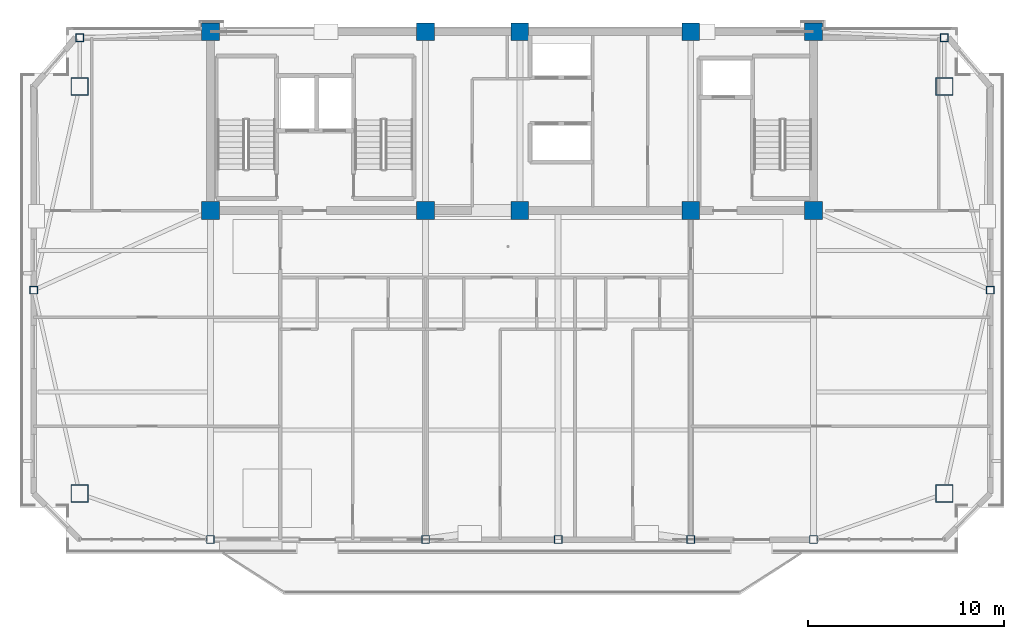
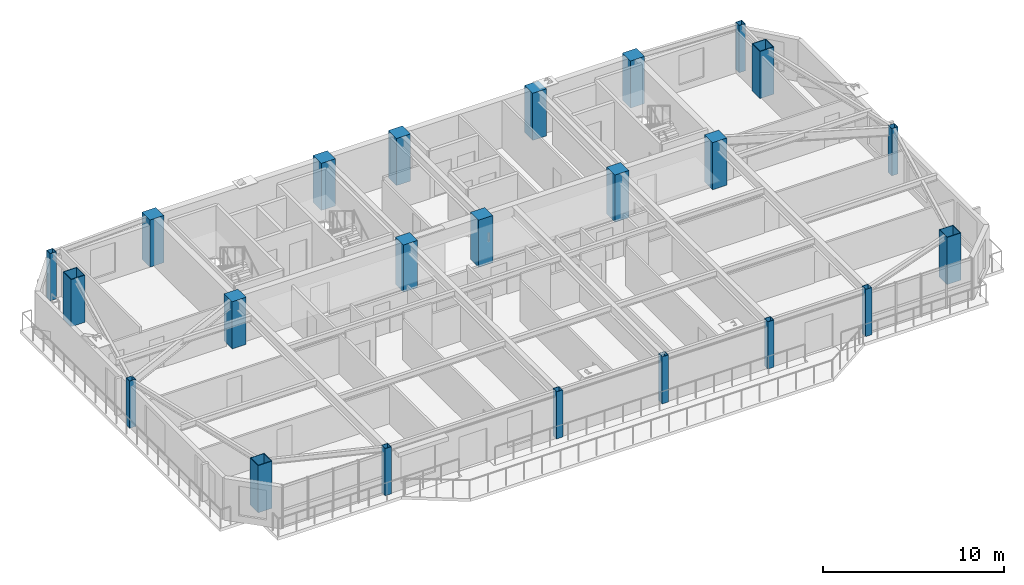
# One storey, part 1 of 14: 23 columns.
"""IFC4 building model written with IfcOpenShell, lengths in metres."""

import ifcopenshell
import ifcopenshell.guid

model = None  # the IFC model being written
_history = None  # IfcOwnerHistory: only IFC2X3 demands one
_inside = {}  # id of a spatial element -> (the spatial element, [elements in it])
_under = {}  # id of a project, library or spatial element -> (it, [spatial elements below it])
_declared = {}  # id of a project -> (the project, [libraries it declares])
_typed = {}  # id of a type object -> (the type object, [elements of that type])
_made_of = {}  # id of a material, layer set ... -> (it, [elements and type objects made of it])


def new_model(schema):
    """Start an empty IFC model of exactly this schema.

    Asked for "IFC4X3", IfcOpenShell would pick the latest addendum, in which some entities
    have other attributes; the version numbers below select the first issue.
    IFC2X3 requires an IfcOwnerHistory on every rooted entity: one is made here for all.
    """
    global model, _history
    if schema == "IFC4X3":
        model = ifcopenshell.file(schema_version=(4, 3, 0, 0))
    else:
        model = ifcopenshell.file(schema=schema)
    _inside.clear()
    _under.clear()
    _declared.clear()
    _typed.clear()
    _made_of.clear()
    _history = None
    if model.schema == "IFC2X3":
        org = make("IfcOrganization", Name="unknown")
        user = make(
            "IfcPersonAndOrganization",
            ThePerson=make("IfcPerson", FamilyName="unknown"),
            TheOrganization=org,
        )
        app = make(
            "IfcApplication",
            ApplicationDeveloper=org,
            Version="unknown",
            ApplicationFullName="unknown",
            ApplicationIdentifier="unknown",
        )
        _history = make(
            "IfcOwnerHistory",
            OwningUser=user,
            OwningApplication=app,
            ChangeAction="ADDED",
            CreationDate=0,
        )
    return model


def make(cls, **values):
    """One entity of the class cls with the attributes given. An attribute that is None is left unset."""
    return model.create_entity(
        cls, **{name: value for name, value in values.items() if value is not None}
    )


def rooted(cls, **values):
    """An entity with a GlobalId (a new one), such as an element, a storey or a relation."""
    return make(cls, GlobalId=ifcopenshell.guid.new(), OwnerHistory=_history, **values)


def si_unit(unit_type, name, prefix=None):
    """IfcSIUnit, for example si_unit("LENGTHUNIT", "METRE", prefix="MILLI")."""
    return make("IfcSIUnit", UnitType=unit_type, Prefix=prefix, Name=name)


def assignment(units):
    """IfcUnitAssignment: the units of a project."""
    return None if units is None else make("IfcUnitAssignment", Units=units)


def point(xyz):
    """IfcCartesianPoint."""
    return None if xyz is None else make("IfcCartesianPoint", Coordinates=xyz)


def direction(xyz):
    """IfcDirection."""
    return None if xyz is None else make("IfcDirection", DirectionRatios=xyz)


def frame(location, z_axis=None, x_axis=None):
    """IfcAxis2Placement3D, a coordinate frame: its origin and axes. An axis left out is left unset."""
    return make(
        "IfcAxis2Placement3D",
        Location=point(location),
        Axis=direction(z_axis),
        RefDirection=direction(x_axis),
    )


def frame_2d(location, x_axis=None):
    """IfcAxis2Placement2D, a coordinate frame in the plane: its origin and x axis."""
    return make(
        "IfcAxis2Placement2D", Location=point(location), RefDirection=direction(x_axis)
    )


def origin():
    """The frame at (0, 0, 0) with its axes left unset."""
    return frame((0.0, 0.0, 0.0))


def origin_2d():
    """The frame at (0, 0) in the plane with its x axis left unset."""
    return frame_2d((0.0, 0.0))


def place(relative_to, where):
    """IfcLocalPlacement: puts the frame where relative to a parent placement (None: the world)."""
    return make(
        "IfcLocalPlacement", PlacementRelTo=relative_to, RelativePlacement=where
    )


def context(
    kind, dimensions, precision=None, world=None, true_north=None, identifier=None
):
    """IfcGeometricRepresentationContext, for example the 3D "Model" context."""
    return make(
        "IfcGeometricRepresentationContext",
        ContextIdentifier=identifier,
        ContextType=kind,
        CoordinateSpaceDimension=dimensions,
        Precision=precision,
        WorldCoordinateSystem=world,
        TrueNorth=true_north,
    )


def subcontext(parent, identifier, kind, view, scale=None):
    """IfcGeometricRepresentationSubContext, for example "Body" below "Model"."""
    return make(
        "IfcGeometricRepresentationSubContext",
        ContextIdentifier=identifier,
        ContextType=kind,
        ParentContext=parent,
        TargetScale=scale,
        TargetView=view,
    )


def project(units=None, contexts=None):
    """IfcProject with its units and contexts."""
    return rooted(
        "IfcProject",
        Name="project",
        RepresentationContexts=contexts,
        UnitsInContext=assignment(units),
    )


def spatial(cls, under=None, at=None, **own):
    """A site, building, storey or space (cls), placed at a placement, below another one or the project."""
    s = rooted(cls, ObjectPlacement=at, **own)
    if under is not None:
        _under.setdefault(under.id(), (under, []))[1].append(s)
    return s


def profile(cls, at=None, kind="AREA", **sizes):
    """A parametric profile (cls). Its sizes go by their IFC names, for example OverallWidth=200.0."""
    return make(cls, ProfileType=kind, Position=at, **sizes)


def rectangle(**sizes):
    """IfcRectangleProfileDef."""
    return profile("IfcRectangleProfileDef", **sizes)


def hollow_rectangle(**sizes):
    """IfcRectangleHollowProfileDef."""
    return profile("IfcRectangleHollowProfileDef", **sizes)


def extrude(swept, where, along, depth):
    """IfcExtrudedAreaSolid: the profile swept, set in the frame where, extruded along a direction by depth."""
    return make(
        "IfcExtrudedAreaSolid",
        SweptArea=swept,
        Position=where,
        ExtrudedDirection=direction(along),
        Depth=depth,
    )


def shape(context_of_items, identifier, shape_type, items):
    """IfcShapeRepresentation: the items that make up one representation, for example the "Body"."""
    return make(
        "IfcShapeRepresentation",
        ContextOfItems=context_of_items,
        RepresentationIdentifier=identifier,
        RepresentationType=shape_type,
        Items=items,
    )


def source(mapping_origin, context_of_items, identifier, shape_type, items):
    """IfcRepresentationMap: a shape defined once, which mapped items show again and again."""
    return make(
        "IfcRepresentationMap",
        MappingOrigin=mapping_origin,
        MappedRepresentation=shape(context_of_items, identifier, shape_type, items),
    )


def transform(
    local_origin,
    x_axis=None,
    y_axis=None,
    z_axis=None,
    scale=None,
    scale2=None,
    scale3=None,
    uniform=True,
):
    """IfcCartesianTransformationOperator3D, or its non-uniform kind. x_axis, y_axis, z_axis: its Axis1, 2, 3."""
    if uniform:
        return make(
            "IfcCartesianTransformationOperator3D",
            Axis1=direction(x_axis),
            Axis2=direction(y_axis),
            LocalOrigin=point(local_origin),
            Scale=scale,
            Axis3=direction(z_axis),
        )
    return make(
        "IfcCartesianTransformationOperator3DnonUniform",
        Axis1=direction(x_axis),
        Axis2=direction(y_axis),
        LocalOrigin=point(local_origin),
        Scale=scale,
        Axis3=direction(z_axis),
        Scale2=scale2,
        Scale3=scale3,
    )


def mapped(mapping_source, mapping_target):
    """IfcMappedItem: shows the shape of a source again, moved by a transform."""
    return make(
        "IfcMappedItem", MappingSource=mapping_source, MappingTarget=mapping_target
    )


def material(Name=None, Category=None):
    """IfcMaterial."""
    return make("IfcMaterial", Name=Name, Category=Category)


def material_profile(
    of_material, cross_section, Name=None, Category=None, Priority=None
):
    """IfcMaterialProfile: a cross section and its material."""
    return make(
        "IfcMaterialProfile",
        Name=Name,
        Material=of_material,
        Profile=cross_section,
        Priority=Priority,
        Category=Category,
    )


def profile_set(profiles, Name=None, composite=None):
    """IfcMaterialProfileSet."""
    return make(
        "IfcMaterialProfileSet",
        Name=Name,
        MaterialProfiles=profiles,
        CompositeProfile=composite,
    )


def made_of(thing, what):
    """Note that an element or type object is made of a material, layer set ...; save() writes the relation."""
    if what is not None:
        _made_of.setdefault(what.id(), (what, []))[1].append(thing)
    return thing


def type_object(cls, material=None, **own):
    """A type object (cls), such as IfcWallType, which elements share."""
    return made_of(rooted(cls, **own), material)


def element(
    cls,
    number,
    at=None,
    inside=None,
    cuts=None,
    type_object=None,
    material=None,
    context=None,
    identifier="Body",
    shape_type=None,
    held_by="IfcProductDefinitionShape",
    body=None,
    shapes=None,
    **own,
):
    """One element of the class cls, such as IfcWall. Its Tag is "e" and its number.

    at: its placement. inside: the storey or other place that contains it. cuts: it is an
    opening in that element (IfcRelVoidsElement). A single representation is given by context,
    identifier, shape_type and body (its items); several are given by shapes. held_by: the class
    of the entity that holds the representations. save() writes the other relations.
    """
    e = rooted(cls, Tag="e%d" % number, ObjectPlacement=at, **own)
    if body is not None:
        shapes = [shape(context, identifier, shape_type, body)]
    if shapes is not None:
        e.Representation = make(held_by, Representations=shapes)
    if inside is not None:
        _inside.setdefault(inside.id(), (inside, []))[1].append(e)
    if cuts is not None:
        rooted(
            "IfcRelVoidsElement", RelatingBuildingElement=cuts, RelatedOpeningElement=e
        )
    if type_object is not None:
        _typed.setdefault(type_object.id(), (type_object, []))[1].append(e)
    return made_of(e, material)


def aggregate(whole, parts):
    """IfcRelAggregates: a whole, such as a stair, and the parts it consists of."""
    return rooted("IfcRelAggregates", RelatingObject=whole, RelatedObjects=parts)


def save(model, path):
    """Write the relations noted so far, then the file.

    IfcRelAggregates (storeys below a building ...), IfcRelContainedInSpatialStructure (elements
    in a storey), IfcRelDefinesByType, IfcRelAssociatesMaterial and IfcRelDeclares: one each for
    every whole, place, type object, material and project.
    """
    for whole, parts in _under.values():
        aggregate(whole, parts)
    for where, things in _inside.values():
        rooted(
            "IfcRelContainedInSpatialStructure",
            RelatedElements=things,
            RelatingStructure=where,
        )
    for kind, things in _typed.values():
        rooted("IfcRelDefinesByType", RelatedObjects=things, RelatingType=kind)
    for what, things in _made_of.values():
        rooted("IfcRelAssociatesMaterial", RelatedObjects=things, RelatingMaterial=what)
    for by, libraries in _declared.values():
        rooted("IfcRelDeclares", RelatingContext=by, RelatedDefinitions=libraries)
    model.write(path)


model = new_model("IFC4")

# Units and contexts
model_context = context("Model", 3, precision=1e-05, world=origin(), true_north=direction((0.0, 1.0)))
body_context = subcontext(model_context, "Body", "Model", "MODEL_VIEW")
ifc_project = project(units=[si_unit("LENGTHUNIT", "METRE"), si_unit("AREAUNIT", "SQUARE_METRE"), si_unit("VOLUMEUNIT", "CUBIC_METRE"), si_unit("PLANEANGLEUNIT", "RADIAN"), si_unit("MASSUNIT", "GRAM", prefix="KILO")], contexts=[model_context])

# Site, building, storey
site_placement = place(None, origin())
site = spatial("IfcSite", under=ifc_project, at=site_placement, CompositionType="ELEMENT")
building_placement = place(site_placement, origin())
building = spatial("IfcBuilding", under=site, at=building_placement, Name="Giltprow Tower", CompositionType="ELEMENT")
storey_placement = place(building_placement, frame((0.0, 0.0, 314.199951171875)))
storey = spatial("IfcBuildingStorey", under=building, at=storey_placement, Name="L81", CompositionType="ELEMENT", Elevation=314.199951171875)

# Columns
ifc_material_1 = material(Name="Concrete C45", Category="concrete")
ifc_material_profile_1 = material_profile(ifc_material_1, rectangle(XDim=0.89990234375, YDim=0.89990234375, at=origin_2d()), Name="RC 900x900")
ifc_profile_set_1 = profile_set([ifc_material_profile_1], Name="Concrete C45")
column_type_1 = type_object("IfcColumnType", Name="PIL-RC-900-C45", PredefinedType="PILASTER", material=ifc_profile_set_1)
shared_shape_1 = source(origin(), body_context, "Body", "SweptSolid", [
    extrude(rectangle(XDim=0.89990234375, YDim=0.89990234375, at=origin_2d()), origin(), (0.0, 0.0, 1.0), 3.18505859375),
])
for number, where, z_axis, x_axis, name in (
    (1, (19.85009765625, 37.449951171875, 0.0), (0.0, 0.0, 1.0), (1.0, 0.0, 0.0), "L81 Core Boundary Pilaster 1-1"),
    (2, (19.85009765625, 46.550048828125, 0.0), (0.0, 0.0, 1.0), (1.0, 0.0, 0.0), "L81 Core Boundary Pilaster 1-2"),
    (3, (30.800048828125, 37.449951171875, 0.0), (0.0, 0.0, 1.0), (1.0, 0.0, 0.0), "L81 Core Boundary Pilaster 2-1"),
    (4, (30.800048828125, 46.550048828125, 0.0), (0.0, 0.0, 1.0), (1.0, 0.0, 0.0), "L81 Core Boundary Pilaster 2-2"),
    (5, (35.60009765625, 37.449951171875, 0.0), (0.0, 0.0, 1.0), (1.0, 0.0, 0.0), "L81 Core Boundary Pilaster 3-1"),
    (6, (35.60009765625, 46.550048828125, 0.0), (0.0, 0.0, 1.0), (1.0, 0.0, 0.0), "L81 Core Boundary Pilaster 3-2"),
    (7, (44.300048828125, 37.449951171875, 0.0), (0.0, 0.0, 1.0), (1.0, 0.0, 0.0), "L81 Core Boundary Pilaster 4-1"),
    (8, (44.300048828125, 46.550048828125, 0.0), (0.0, 0.0, 1.0), (1.0, 0.0, 0.0), "L81 Core Boundary Pilaster 4-2"),
    (9, (50.550048828125, 37.449951171875, 0.0), (0.0, 0.0, 1.0), (1.0, 0.0, 0.0), "L81 Core Boundary Pilaster 5-1"),
    (10, (50.550048828125, 46.550048828125, 0.0), (0.0, 0.0, 1.0), (1.0, 0.0, 0.0), "L81 Core Boundary Pilaster 5-2"),
):
    element("IfcColumn", number, at=place(storey_placement, frame(where, z_axis=z_axis, x_axis=x_axis)), inside=storey, type_object=column_type_1, Name=name, PredefinedType="PILASTER", context=body_context, shape_type="MappedRepresentation", body=[
        mapped(shared_shape_1, transform((0.0, 0.0, 0.0), x_axis=(1.0, 0.0, 0.0), y_axis=(0.0, 1.0, 0.0), z_axis=(0.0, 0.0, 1.0), scale=1.0)),
    ])
ifc_material_2 = material(Name="Structural steel Q420GJC", Category="steel")
ifc_material_profile_2 = material_profile(ifc_material_2, hollow_rectangle(XDim=0.89990234375, YDim=0.89990234375, WallThickness=0.0400390625, at=origin_2d()), Name="BOX 900x900x40")
ifc_profile_set_2 = profile_set([ifc_material_profile_2], Name="Structural steel Q420GJC")
column_type_2 = type_object("IfcColumnType", Name="COL-BOX-900x900x40", PredefinedType="COLUMN", material=ifc_profile_set_2)
shared_shape_2 = source(origin(), body_context, "Body", "SweptSolid", [
    extrude(hollow_rectangle(XDim=0.89990234375, YDim=0.89990234375, WallThickness=0.0400390625, at=origin_2d()), origin(), (0.0, 0.0, 1.0), 3.18505859375),
])
for number, where, z_axis, x_axis, name in (
    (11, (13.193115234375, 23.0419921875, 0.0), (0.0, 0.0, 1.0), (1.0, 0.0, 0.0), "L81 Mega-Column MC_SW"),
    (12, (57.2080078125, 23.0419921875, 0.0), (0.0, 0.0, 1.0), (1.0, 0.0, 0.0), "L81 Mega-Column MC_SE"),
    (13, (13.193115234375, 43.761962890625, 0.0), (0.0, 0.0, 1.0), (1.0, 0.0, 0.0), "L81 Mega-Column MC_NW"),
    (14, (57.2080078125, 43.761962890625, 0.0), (0.0, 0.0, 1.0), (1.0, 0.0, 0.0), "L81 Mega-Column MC_NE"),
):
    element("IfcColumn", number, at=place(storey_placement, frame(where, z_axis=z_axis, x_axis=x_axis)), inside=storey, type_object=column_type_2, Name=name, PredefinedType="COLUMN", context=body_context, shape_type="MappedRepresentation", body=[
        mapped(shared_shape_2, transform((0.0, 0.0, 0.0), x_axis=(1.0, 0.0, 0.0), y_axis=(0.0, 1.0, 0.0), z_axis=(0.0, 0.0, 1.0), scale=1.0)),
    ])
ifc_material_3 = material(Name="Structural steel Q355B", Category="steel")
ifc_material_profile_3 = material_profile(ifc_material_3, hollow_rectangle(XDim=0.39990234375, YDim=0.39990234375, WallThickness=0.02001953125, at=origin_2d()), Name="BOX 400x400x20")
ifc_profile_set_3 = profile_set([ifc_material_profile_3], Name="Structural steel Q355B")
column_type_3 = type_object("IfcColumnType", Name="COL-BOX-400x400x20", PredefinedType="COLUMN", material=ifc_profile_set_3)
shared_shape_3 = source(origin(), body_context, "Body", "SweptSolid", [
    extrude(hollow_rectangle(XDim=0.39990234375, YDim=0.39990234375, WallThickness=0.02001953125, at=origin_2d()), origin(), (0.0, 0.0, 1.0), 3.18505859375),
])
for number, where, z_axis, x_axis, name in (
    (15, (19.85009765625, 20.7041015625, 0.0), (0.0, 0.0, 1.0), (1.0, 0.0, 0.0), "L81 Perimeter Column S1"),
    (16, (30.800048828125, 20.7041015625, 0.0), (0.0, 0.0, 1.0), (1.0, 0.0, 0.0), "L81 Perimeter Column S2"),
    (17, (37.550048828125, 20.7041015625, 0.0), (0.0, 0.0, 1.0), (1.0, 0.0, 0.0), "L81 Perimeter Column S_MID"),
    (18, (44.300048828125, 20.7041015625, 0.0), (0.0, 0.0, 1.0), (1.0, 0.0, 0.0), "L81 Perimeter Column S3"),
    (19, (50.550048828125, 20.7041015625, 0.0), (0.0, 0.0, 1.0), (1.0, 0.0, 0.0), "L81 Perimeter Column S4"),
    (20, (10.85498046875, 33.402099609375, 0.0), (0.0, 0.0, 1.0), (1.0, 0.0, 0.0), "L81 Perimeter Column W_MID"),
    (21, (59.5458984375, 33.402099609375, 0.0), (0.0, 0.0, 1.0), (1.0, 0.0, 0.0), "L81 Perimeter Column E_MID"),
    (22, (13.193115234375, 46.25, 0.0), (0.0, 0.0, 1.0), (1.0, 0.0, 0.0), "L81 Perimeter Column N_W"),
    (23, (57.2080078125, 46.25, 0.0), (0.0, 0.0, 1.0), (1.0, 0.0, 0.0), "L81 Perimeter Column N_E"),
):
    element("IfcColumn", number, at=place(storey_placement, frame(where, z_axis=z_axis, x_axis=x_axis)), inside=storey, type_object=column_type_3, Name=name, PredefinedType="COLUMN", context=body_context, shape_type="MappedRepresentation", body=[
        mapped(shared_shape_3, transform((0.0, 0.0, 0.0), x_axis=(1.0, 0.0, 0.0), y_axis=(0.0, 1.0, 0.0), z_axis=(0.0, 0.0, 1.0), scale=1.0)),
    ])

save(model, "model.ifc")
